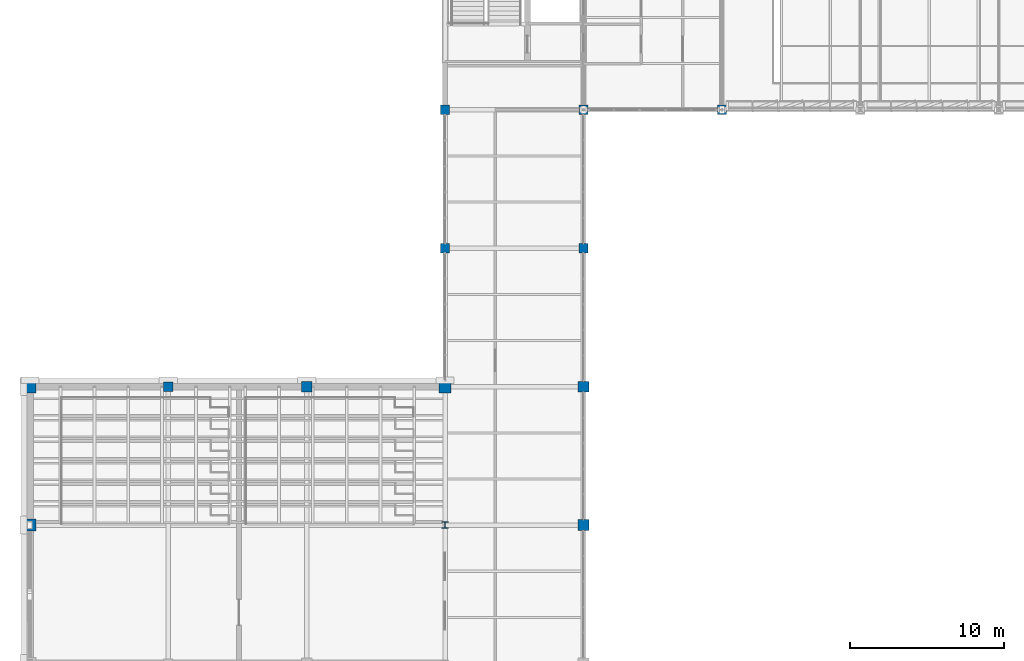
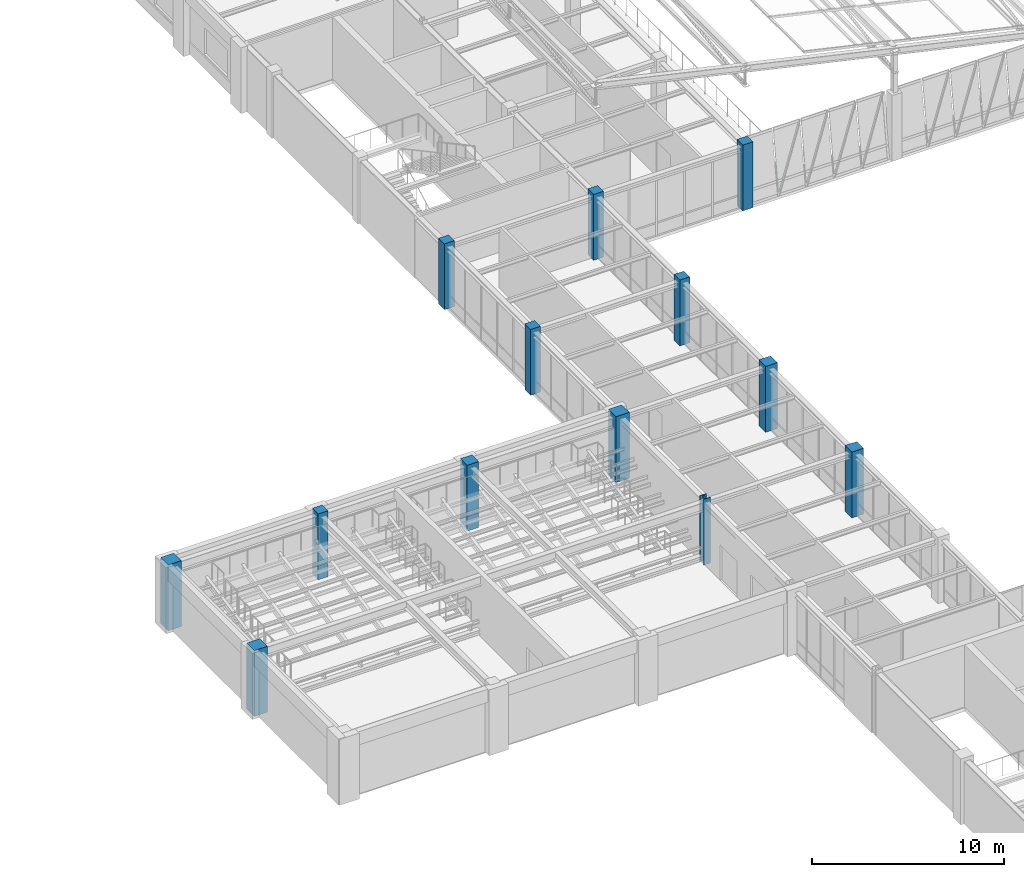
# One storey, part 3 of 130: 13 columns.
"""IFC4 building model written with IfcOpenShell, lengths in metres."""

from ifc_helpers import new_model, si_unit, direction, frame, origin, origin_2d, place, context, subcontext, project, spatial, rectangle, i_section, extrude, material, material_profile, profile_set, type_object, element, save


model = new_model("IFC4")

# Units and contexts
model_context = context("Model", 3, precision=1e-05, world=origin(), true_north=direction((0.0, 1.0)))
body_context = subcontext(model_context, "Body", "Model", "MODEL_VIEW")
ifc_project = project(units=[si_unit("LENGTHUNIT", "METRE"), si_unit("AREAUNIT", "SQUARE_METRE"), si_unit("VOLUMEUNIT", "CUBIC_METRE"), si_unit("PLANEANGLEUNIT", "RADIAN"), si_unit("MASSUNIT", "GRAM", prefix="KILO")], contexts=[model_context])

# Site, building, storey
site_placement = place(None, origin())
site = spatial("IfcSite", under=ifc_project, at=site_placement, CompositionType="ELEMENT")
building_placement = place(site_placement, origin())
building = spatial("IfcBuilding", under=site, at=building_placement, Name="Lykobir Media Centre", CompositionType="ELEMENT")
storey_placement = place(building_placement, frame((0.0, 0.0, 19.199951171875)))
storey = spatial("IfcBuildingStorey", under=building, at=storey_placement, Name="L04", CompositionType="ELEMENT", Elevation=19.199951171875)

# Columns
ifc_material_1 = material(Name="Concrete C40/50", Category="concrete")
ifc_material_profile_1 = material_profile(ifc_material_1, rectangle(XDim=0.60009765625, YDim=0.60009765625, at=origin_2d()), Name="RC 600x600")
ifc_profile_set_1 = profile_set([ifc_material_profile_1], Name="Concrete C40/50")
column_type_1 = type_object("IfcColumnType", Name="RC-C600", PredefinedType="COLUMN", material=ifc_profile_set_1)
for number, where, z_axis, x_axis, name in (
    (1, (9.0, 45.0, 0.0), (0.0, 0.0, 1.0), (1.0, 0.0, 0.0), "Column COL-L04-0090-0450"),
    (2, (27.0, 54.0, 0.0), (0.0, 0.0, 1.0), (1.0, 0.0, 0.0), "Column COL-L04-0270-0540"),
    (3, (27.0, 63.0, 0.0), (0.0, 0.0, 1.0), (1.0, 0.0, 0.0), "Column COL-L04-0270-0630"),
    (4, (36.0, 54.0, 0.0), (0.0, 0.0, 1.0), (1.0, 0.0, 0.0), "Column COL-L04-0360-0540"),
    (5, (36.0, 63.0, 0.0), (0.0, 0.0, 1.0), (1.0, 0.0, 0.0), "Column COL-L04-0360-0630"),
    (6, (45.0, 63.0, 0.0), (0.0, 0.0, 1.0), (1.0, 0.0, 0.0), "Column COL-L04-0450-0630"),
):
    element("IfcColumn", number, at=place(storey_placement, frame(where, z_axis=z_axis, x_axis=x_axis)), inside=storey, type_object=column_type_1, Name=name, PredefinedType="COLUMN", context=body_context, shape_type="SweptSolid", body=[
        extrude(rectangle(XDim=0.60009765625, YDim=0.60009765625, at=origin_2d()), origin(), (0.0, 0.0, 1.0), 4.199951171875),
    ])
ifc_material_profile_2 = material_profile(ifc_material_1, rectangle(XDim=0.699951171875, YDim=0.699951171875, at=origin_2d()), Name="RC 700x700")
ifc_profile_set_2 = profile_set([ifc_material_profile_2], Name="Concrete C40/50")
column_type_2 = type_object("IfcColumnType", Name="RC-C700", PredefinedType="COLUMN", material=ifc_profile_set_2)
for number, where, z_axis, x_axis, name in (
    (7, (18.0, 45.0, 0.0), (0.0, 0.0, 1.0), (1.0, 0.0, 0.0), "Column COL-L04-0180-0450"),
    (8, (36.0, 36.0, 0.0), (0.0, 0.0, 1.0), (1.0, 0.0, 0.0), "Column COL-L04-0360-0360"),
    (9, (36.0, 45.0, 0.0), (0.0, 0.0, 1.0), (1.0, 0.0, 0.0), "Column COL-L04-0360-0450"),
):
    element("IfcColumn", number, at=place(storey_placement, frame(where, z_axis=z_axis, x_axis=x_axis)), inside=storey, type_object=column_type_2, Name=name, PredefinedType="COLUMN", context=body_context, shape_type="SweptSolid", body=[
        extrude(rectangle(XDim=0.699951171875, YDim=0.699951171875, at=origin_2d()), origin(), (0.0, 0.0, 1.0), 4.199951171875),
    ])
ifc_material_profile_3 = material_profile(ifc_material_1, rectangle(XDim=0.800048828125, YDim=0.800048828125, at=origin_2d()), Name="RC 800x800")
ifc_profile_set_3 = profile_set([ifc_material_profile_3], Name="Concrete C40/50")
column_type_3 = type_object("IfcColumnType", Name="RC-C800", PredefinedType="COLUMN", material=ifc_profile_set_3)
column_1_placement = place(storey_placement, frame((27.0, 45.0, 0.0), z_axis=(0.0, 0.0, 1.0), x_axis=(1.0, 0.0, 0.0)))
element("IfcColumn", 10, at=column_1_placement, inside=storey, type_object=column_type_3, Name="Column COL-L04-0270-0450", PredefinedType="COLUMN", context=body_context, shape_type="SweptSolid", body=[
    extrude(rectangle(XDim=0.800048828125, YDim=0.800048828125, at=origin_2d()), origin(), (0.0, 0.0, 1.0), 4.199951171875),
])
ifc_material_profile_4 = material_profile(ifc_material_1, rectangle(XDim=0.800048828125, YDim=0.800048828125, at=origin_2d()), Name="RC 800x800")
ifc_profile_set_4 = profile_set([ifc_material_profile_4], Name="Concrete C40/50")
column_type_4 = type_object("IfcColumnType", Name="RC-C800-E", PredefinedType="COLUMN", material=ifc_profile_set_4)
for number, where, z_axis, x_axis, name in (
    (11, (0.0, 36.0, 0.0), (0.0, 0.0, 1.0), (1.0, 0.0, 0.0), "Column COL-L04-0000-0360"),
    (12, (0.0, 45.0, 0.0), (0.0, 0.0, 1.0), (1.0, 0.0, 0.0), "Column COL-L04-0000-0450"),
):
    element("IfcColumn", number, at=place(storey_placement, frame(where, z_axis=z_axis, x_axis=x_axis)), inside=storey, type_object=column_type_4, Name=name, PredefinedType="COLUMN", context=body_context, shape_type="SweptSolid", body=[
        extrude(rectangle(XDim=0.800048828125, YDim=0.800048828125, at=origin_2d()), origin(), (0.0, 0.0, 1.0), 4.199951171875),
    ])
ifc_material_2 = material(Name="Steel S355", Category="steel")
ifc_material_profile_5 = material_profile(ifc_material_2, i_section(OverallWidth=0.404052734375, OverallDepth=0.406982421875, WebThickness=0.017822265625, FlangeThickness=0.027099609375, at=origin_2d()), Name="HD 400x347")
ifc_profile_set_5 = profile_set([ifc_material_profile_5], Name="Steel S355")
column_type_5 = type_object("IfcColumnType", Name="SC-HD347", PredefinedType="COLUMN", material=ifc_profile_set_5)
column_2_placement = place(storey_placement, frame((27.0, 36.0, 0.0), z_axis=(0.0, 0.0, 1.0), x_axis=(1.0, 0.0, 0.0)))
element("IfcColumn", 13, at=column_2_placement, inside=storey, type_object=column_type_5, Name="Column COL-L04-0270-0360", PredefinedType="COLUMN", context=body_context, shape_type="SweptSolid", body=[
    extrude(i_section(OverallWidth=0.404052734375, OverallDepth=0.406982421875, WebThickness=0.017822265625, FlangeThickness=0.027099609375, at=origin_2d()), origin(), (0.0, 0.0, 1.0), 4.199951171875),
])

save(model, "model.ifc")
